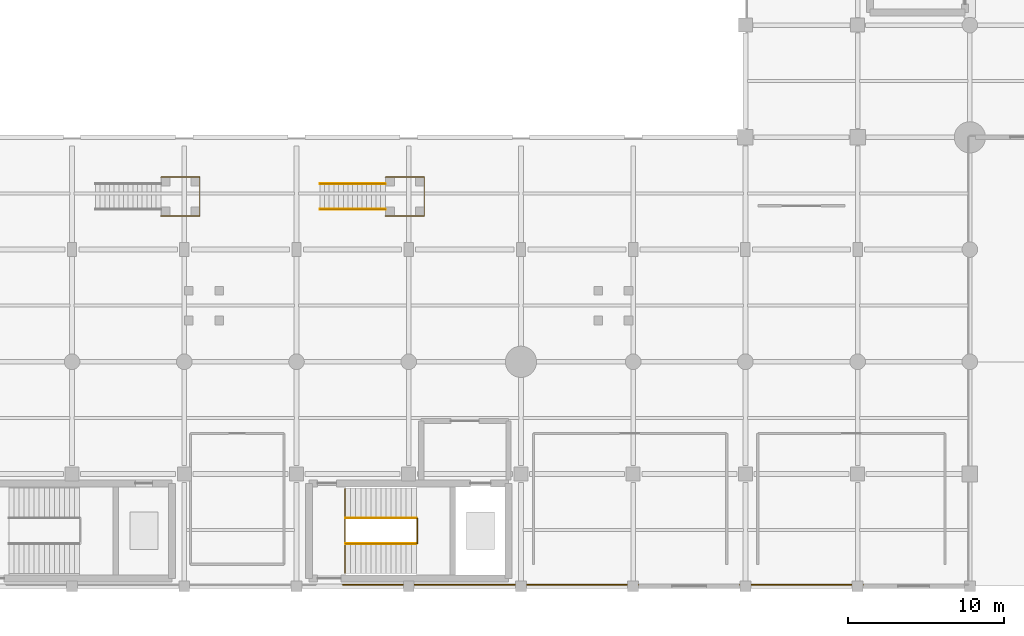
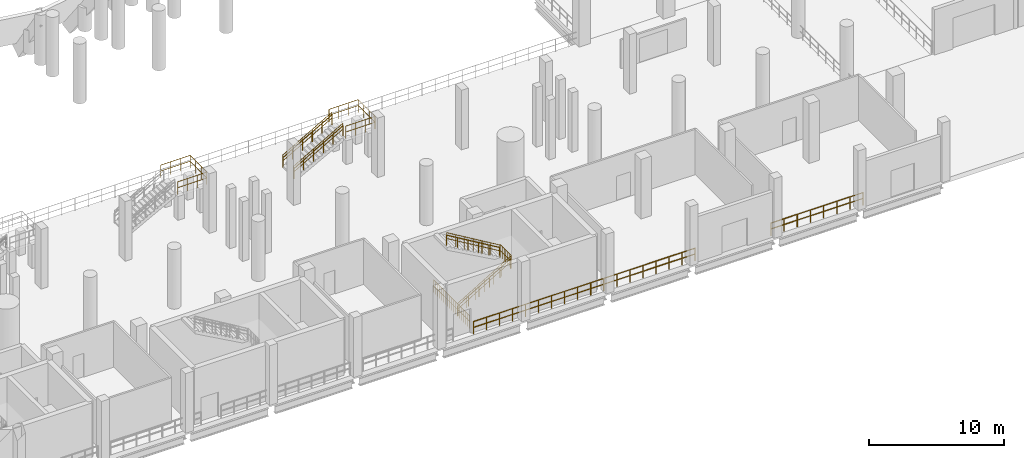
# One storey, part 47 of 58: 14 railings.
"""IFC4 building model written with IfcOpenShell, lengths in metres."""

import ifcopenshell
import ifcopenshell.guid

model = None  # the IFC model being written
_history = None  # IfcOwnerHistory: only IFC2X3 demands one
_inside = {}  # id of a spatial element -> (the spatial element, [elements in it])
_under = {}  # id of a project, library or spatial element -> (it, [spatial elements below it])
_declared = {}  # id of a project -> (the project, [libraries it declares])
_typed = {}  # id of a type object -> (the type object, [elements of that type])
_made_of = {}  # id of a material, layer set ... -> (it, [elements and type objects made of it])


def new_model(schema):
    """Start an empty IFC model of exactly this schema.

    Asked for "IFC4X3", IfcOpenShell would pick the latest addendum, in which some entities
    have other attributes; the version numbers below select the first issue.
    IFC2X3 requires an IfcOwnerHistory on every rooted entity: one is made here for all.
    """
    global model, _history
    if schema == "IFC4X3":
        model = ifcopenshell.file(schema_version=(4, 3, 0, 0))
    else:
        model = ifcopenshell.file(schema=schema)
    _inside.clear()
    _under.clear()
    _declared.clear()
    _typed.clear()
    _made_of.clear()
    _history = None
    if model.schema == "IFC2X3":
        org = make("IfcOrganization", Name="unknown")
        user = make(
            "IfcPersonAndOrganization",
            ThePerson=make("IfcPerson", FamilyName="unknown"),
            TheOrganization=org,
        )
        app = make(
            "IfcApplication",
            ApplicationDeveloper=org,
            Version="unknown",
            ApplicationFullName="unknown",
            ApplicationIdentifier="unknown",
        )
        _history = make(
            "IfcOwnerHistory",
            OwningUser=user,
            OwningApplication=app,
            ChangeAction="ADDED",
            CreationDate=0,
        )
    return model


def make(cls, **values):
    """One entity of the class cls with the attributes given. An attribute that is None is left unset."""
    return model.create_entity(
        cls, **{name: value for name, value in values.items() if value is not None}
    )


def rooted(cls, **values):
    """An entity with a GlobalId (a new one), such as an element, a storey or a relation."""
    return make(cls, GlobalId=ifcopenshell.guid.new(), OwnerHistory=_history, **values)


def si_unit(unit_type, name, prefix=None):
    """IfcSIUnit, for example si_unit("LENGTHUNIT", "METRE", prefix="MILLI")."""
    return make("IfcSIUnit", UnitType=unit_type, Prefix=prefix, Name=name)


def assignment(units):
    """IfcUnitAssignment: the units of a project."""
    return None if units is None else make("IfcUnitAssignment", Units=units)


def point(xyz):
    """IfcCartesianPoint."""
    return None if xyz is None else make("IfcCartesianPoint", Coordinates=xyz)


def direction(xyz):
    """IfcDirection."""
    return None if xyz is None else make("IfcDirection", DirectionRatios=xyz)


def frame(location, z_axis=None, x_axis=None):
    """IfcAxis2Placement3D, a coordinate frame: its origin and axes. An axis left out is left unset."""
    return make(
        "IfcAxis2Placement3D",
        Location=point(location),
        Axis=direction(z_axis),
        RefDirection=direction(x_axis),
    )


def frame_2d(location, x_axis=None):
    """IfcAxis2Placement2D, a coordinate frame in the plane: its origin and x axis."""
    return make(
        "IfcAxis2Placement2D", Location=point(location), RefDirection=direction(x_axis)
    )


def origin():
    """The frame at (0, 0, 0) with its axes left unset."""
    return frame((0.0, 0.0, 0.0))


def origin_2d():
    """The frame at (0, 0) in the plane with its x axis left unset."""
    return frame_2d((0.0, 0.0))


def place(relative_to, where):
    """IfcLocalPlacement: puts the frame where relative to a parent placement (None: the world)."""
    return make(
        "IfcLocalPlacement", PlacementRelTo=relative_to, RelativePlacement=where
    )


def context(
    kind, dimensions, precision=None, world=None, true_north=None, identifier=None
):
    """IfcGeometricRepresentationContext, for example the 3D "Model" context."""
    return make(
        "IfcGeometricRepresentationContext",
        ContextIdentifier=identifier,
        ContextType=kind,
        CoordinateSpaceDimension=dimensions,
        Precision=precision,
        WorldCoordinateSystem=world,
        TrueNorth=true_north,
    )


def subcontext(parent, identifier, kind, view, scale=None):
    """IfcGeometricRepresentationSubContext, for example "Body" below "Model"."""
    return make(
        "IfcGeometricRepresentationSubContext",
        ContextIdentifier=identifier,
        ContextType=kind,
        ParentContext=parent,
        TargetScale=scale,
        TargetView=view,
    )


def project(units=None, contexts=None):
    """IfcProject with its units and contexts."""
    return rooted(
        "IfcProject",
        Name="project",
        RepresentationContexts=contexts,
        UnitsInContext=assignment(units),
    )


def spatial(cls, under=None, at=None, **own):
    """A site, building, storey or space (cls), placed at a placement, below another one or the project."""
    s = rooted(cls, ObjectPlacement=at, **own)
    if under is not None:
        _under.setdefault(under.id(), (under, []))[1].append(s)
    return s


def profile(cls, at=None, kind="AREA", **sizes):
    """A parametric profile (cls). Its sizes go by their IFC names, for example OverallWidth=200.0."""
    return make(cls, ProfileType=kind, Position=at, **sizes)


def circle(**sizes):
    """IfcCircleProfileDef."""
    return profile("IfcCircleProfileDef", **sizes)


def extrude(swept, where, along, depth):
    """IfcExtrudedAreaSolid: the profile swept, set in the frame where, extruded along a direction by depth."""
    return make(
        "IfcExtrudedAreaSolid",
        SweptArea=swept,
        Position=where,
        ExtrudedDirection=direction(along),
        Depth=depth,
    )


def shape(context_of_items, identifier, shape_type, items):
    """IfcShapeRepresentation: the items that make up one representation, for example the "Body"."""
    return make(
        "IfcShapeRepresentation",
        ContextOfItems=context_of_items,
        RepresentationIdentifier=identifier,
        RepresentationType=shape_type,
        Items=items,
    )


def material(Name=None, Category=None):
    """IfcMaterial."""
    return make("IfcMaterial", Name=Name, Category=Category)


def made_of(thing, what):
    """Note that an element or type object is made of a material, layer set ...; save() writes the relation."""
    if what is not None:
        _made_of.setdefault(what.id(), (what, []))[1].append(thing)
    return thing


def type_object(cls, material=None, **own):
    """A type object (cls), such as IfcWallType, which elements share."""
    return made_of(rooted(cls, **own), material)


def element(
    cls,
    number,
    at=None,
    inside=None,
    cuts=None,
    type_object=None,
    material=None,
    context=None,
    identifier="Body",
    shape_type=None,
    held_by="IfcProductDefinitionShape",
    body=None,
    shapes=None,
    **own,
):
    """One element of the class cls, such as IfcWall. Its Tag is "e" and its number.

    at: its placement. inside: the storey or other place that contains it. cuts: it is an
    opening in that element (IfcRelVoidsElement). A single representation is given by context,
    identifier, shape_type and body (its items); several are given by shapes. held_by: the class
    of the entity that holds the representations. save() writes the other relations.
    """
    e = rooted(cls, Tag="e%d" % number, ObjectPlacement=at, **own)
    if body is not None:
        shapes = [shape(context, identifier, shape_type, body)]
    if shapes is not None:
        e.Representation = make(held_by, Representations=shapes)
    if inside is not None:
        _inside.setdefault(inside.id(), (inside, []))[1].append(e)
    if cuts is not None:
        rooted(
            "IfcRelVoidsElement", RelatingBuildingElement=cuts, RelatedOpeningElement=e
        )
    if type_object is not None:
        _typed.setdefault(type_object.id(), (type_object, []))[1].append(e)
    return made_of(e, material)


def aggregate(whole, parts):
    """IfcRelAggregates: a whole, such as a stair, and the parts it consists of."""
    return rooted("IfcRelAggregates", RelatingObject=whole, RelatedObjects=parts)


def save(model, path):
    """Write the relations noted so far, then the file.

    IfcRelAggregates (storeys below a building ...), IfcRelContainedInSpatialStructure (elements
    in a storey), IfcRelDefinesByType, IfcRelAssociatesMaterial and IfcRelDeclares: one each for
    every whole, place, type object, material and project.
    """
    for whole, parts in _under.values():
        aggregate(whole, parts)
    for where, things in _inside.values():
        rooted(
            "IfcRelContainedInSpatialStructure",
            RelatedElements=things,
            RelatingStructure=where,
        )
    for kind, things in _typed.values():
        rooted("IfcRelDefinesByType", RelatedObjects=things, RelatingType=kind)
    for what, things in _made_of.values():
        rooted("IfcRelAssociatesMaterial", RelatedObjects=things, RelatingMaterial=what)
    for by, libraries in _declared.values():
        rooted("IfcRelDeclares", RelatingContext=by, RelatedDefinitions=libraries)
    model.write(path)


model = new_model("IFC4")

# Units and contexts
model_context = context("Model", 3, precision=1e-05, world=origin(), true_north=direction((0.0, 1.0)))
body_context = subcontext(model_context, "Body", "Model", "MODEL_VIEW")
ifc_project = project(units=[si_unit("LENGTHUNIT", "METRE"), si_unit("AREAUNIT", "SQUARE_METRE"), si_unit("VOLUMEUNIT", "CUBIC_METRE"), si_unit("PLANEANGLEUNIT", "RADIAN"), si_unit("MASSUNIT", "GRAM", prefix="KILO")], contexts=[model_context])

# Site, building, storey
site_placement = place(None, origin())
site = spatial("IfcSite", under=ifc_project, at=site_placement, CompositionType="ELEMENT")
building_placement = place(site_placement, origin())
building = spatial("IfcBuilding", under=site, at=building_placement, Name="Qandorah Velis Arena", CompositionType="ELEMENT")
storey_placement = place(building_placement, origin())
storey = spatial("IfcBuildingStorey", under=building, at=storey_placement, Name="L00", CompositionType="ELEMENT", Elevation=0.0)

# Railings
ifc_material = material(Name="Stainless steel 316", Category="steel")
railing_type_1 = type_object("IfcRailingType", Name="ARC-RL-GRD1150", PredefinedType="GUARDRAIL", material=ifc_material)
railing_1_placement = place(storey_placement, frame((75.110107421875, 0.860107421875, 0.0)))
element("IfcRailing", 1, at=railing_1_placement, inside=storey, type_object=railing_type_1, Name="Stair ST2 landing well-slot guardrail L00", PredefinedType="GUARDRAIL", context=body_context, shape_type="SweptSolid", body=[
    extrude(circle(Radius=0.02392578125, at=origin_2d()), frame((0.0, 0.0, 1.1259765625), z_axis=(0.0, 1.0, 0.0), x_axis=(-1.0, 0.0, 0.0)), (0.0, 0.0, 1.0), 5.3798828125),
    extrude(circle(Radius=0.02392578125, at=origin_2d()), frame((0.0, 0.0, 0.597900390625), z_axis=(0.0, 1.0, 0.0), x_axis=(-1.0, 0.0, 0.0)), (0.0, 0.0, 1.0), 5.3798828125),
    extrude(circle(Radius=0.02099609375, at=origin_2d()), origin(), (0.0, 0.0, 1.0), 1.101806640625),
    extrude(circle(Radius=0.02099609375, at=origin_2d()), frame((0.0, 0.298828125, 0.0)), (0.0, 0.0, 1.0), 1.101806640625),
    extrude(circle(Radius=0.02099609375, at=origin_2d()), frame((0.0, 0.59765625, 0.0)), (0.0, 0.0, 1.0), 1.101806640625),
    extrude(circle(Radius=0.02099609375, at=origin_2d()), frame((0.0, 0.896728515625, 0.0)), (0.0, 0.0, 1.0), 1.101806640625),
    extrude(circle(Radius=0.02099609375, at=origin_2d()), frame((0.0, 1.195556640625, 0.0)), (0.0, 0.0, 1.0), 1.101806640625),
    extrude(circle(Radius=0.02099609375, at=origin_2d()), frame((0.0, 1.494384765625, 0.0)), (0.0, 0.0, 1.0), 1.101806640625),
    extrude(circle(Radius=0.02099609375, at=origin_2d()), frame((0.0, 1.793212890625, 0.0)), (0.0, 0.0, 1.0), 1.101806640625),
    extrude(circle(Radius=0.02099609375, at=origin_2d()), frame((0.0, 2.09228515625, 0.0)), (0.0, 0.0, 1.0), 1.101806640625),
    extrude(circle(Radius=0.02099609375, at=origin_2d()), frame((0.0, 2.39111328125, 0.0)), (0.0, 0.0, 1.0), 1.101806640625),
    extrude(circle(Radius=0.02099609375, at=origin_2d()), frame((0.0, 2.68994140625, 0.0)), (0.0, 0.0, 1.0), 1.101806640625),
    extrude(circle(Radius=0.02099609375, at=origin_2d()), frame((0.0, 2.98876953125, 0.0)), (0.0, 0.0, 1.0), 1.101806640625),
    extrude(circle(Radius=0.02099609375, at=origin_2d()), frame((0.0, 3.28759765625, 0.0)), (0.0, 0.0, 1.0), 1.101806640625),
    extrude(circle(Radius=0.02099609375, at=origin_2d()), frame((0.0, 3.586669921875, 0.0)), (0.0, 0.0, 1.0), 1.101806640625),
    extrude(circle(Radius=0.02099609375, at=origin_2d()), frame((0.0, 3.885498046875, 0.0)), (0.0, 0.0, 1.0), 1.101806640625),
    extrude(circle(Radius=0.02099609375, at=origin_2d()), frame((0.0, 4.184326171875, 0.0)), (0.0, 0.0, 1.0), 1.101806640625),
    extrude(circle(Radius=0.02099609375, at=origin_2d()), frame((0.0, 4.483154296875, 0.0)), (0.0, 0.0, 1.0), 1.101806640625),
    extrude(circle(Radius=0.02099609375, at=origin_2d()), frame((0.0, 4.7822265625, 0.0)), (0.0, 0.0, 1.0), 1.101806640625),
    extrude(circle(Radius=0.02099609375, at=origin_2d()), frame((0.0, 5.0810546875, 0.0)), (0.0, 0.0, 1.0), 1.101806640625),
    extrude(circle(Radius=0.02099609375, at=origin_2d()), frame((0.0, 5.3798828125, 0.0)), (0.0, 0.0, 1.0), 1.101806640625),
])
railing_2_placement = place(storey_placement, frame((79.74609375, 2.739990234375, 2.699951171875)))
element("IfcRailing", 2, at=railing_2_placement, inside=storey, type_object=railing_type_1, Name="Stair ST2 well guardrail (L00)", PredefinedType="GUARDRAIL", context=body_context, shape_type="SweptSolid", body=[
    extrude(circle(Radius=0.02392578125, at=origin_2d()), frame((0.0, 0.0, 1.1259765625), z_axis=(0.0, 1.0, 0.0), x_axis=(-1.0, 0.0, 0.0)), (0.0, 0.0, 1.0), 1.6201171875),
    extrude(circle(Radius=0.02392578125, at=origin_2d()), frame((0.0, 0.0, 0.597900390625), z_axis=(0.0, 1.0, 0.0), x_axis=(-1.0, 0.0, 0.0)), (0.0, 0.0, 1.0), 1.6201171875),
    extrude(circle(Radius=0.02099609375, at=origin_2d()), origin(), (0.0, 0.0, 1.0), 1.101806640625),
    extrude(circle(Radius=0.02099609375, at=origin_2d()), frame((0.0, 0.27001953125, 0.0)), (0.0, 0.0, 1.0), 1.101806640625),
    extrude(circle(Radius=0.02099609375, at=origin_2d()), frame((0.0, 0.5400390625, 0.0)), (0.0, 0.0, 1.0), 1.101806640625),
    extrude(circle(Radius=0.02099609375, at=origin_2d()), frame((0.0, 0.81005859375, 0.0)), (0.0, 0.0, 1.0), 1.101806640625),
    extrude(circle(Radius=0.02099609375, at=origin_2d()), frame((0.0, 1.080078125, 0.0)), (0.0, 0.0, 1.0), 1.101806640625),
    extrude(circle(Radius=0.02099609375, at=origin_2d()), frame((0.0, 1.35009765625, 0.0)), (0.0, 0.0, 1.0), 1.101806640625),
    extrude(circle(Radius=0.02099609375, at=origin_2d()), frame((0.0, 1.6201171875, 0.0)), (0.0, 0.0, 1.0), 1.101806640625),
])
railing_3_placement = place(storey_placement, frame((75.14990234375, 2.72998046875, 0.0)))
element("IfcRailing", 3, at=railing_3_placement, inside=storey, type_object=railing_type_1, Name="Stair ST2 inner flight 1 guardrail (L00)", PredefinedType="GUARDRAIL", context=body_context, shape_type="SweptSolid", body=[
    extrude(circle(Radius=0.02392578125, at=origin_2d()), frame((0.0, 0.0, 1.1259765625), z_axis=(0.859303531718, 0.0, 0.511465971866), x_axis=(0.0, 1.0, 0.0)), (0.0, 0.0, 1.0), 5.27880859375),
    extrude(circle(Radius=0.02392578125, at=origin_2d()), frame((0.0, 0.0, 0.597900390625), z_axis=(0.859303531718, 0.0, 0.511465971866), x_axis=(0.0, 1.0, 0.0)), (0.0, 0.0, 1.0), 5.27880859375),
    extrude(circle(Radius=0.02099609375, at=origin_2d()), origin(), (0.0, 0.0, 1.0), 1.101806640625),
    extrude(circle(Radius=0.02099609375, at=origin_2d()), frame((0.756103515625, 0.0, 0.449951171875)), (0.0, 0.0, 1.0), 1.101806640625),
    extrude(circle(Radius=0.02099609375, at=origin_2d()), frame((1.511962890625, 0.0, 0.89990234375)), (0.0, 0.0, 1.0), 1.101806640625),
    extrude(circle(Radius=0.02099609375, at=origin_2d()), frame((2.26806640625, 0.0, 1.35009765625)), (0.0, 0.0, 1.0), 1.101806640625),
    extrude(circle(Radius=0.02099609375, at=origin_2d()), frame((3.024169921875, 0.0, 1.800048828125)), (0.0, 0.0, 1.0), 1.101806640625),
    extrude(circle(Radius=0.02099609375, at=origin_2d()), frame((3.780029296875, 0.0, 2.25)), (0.0, 0.0, 1.0), 1.101806640625),
    extrude(circle(Radius=0.02099609375, at=origin_2d()), frame((4.5361328125, 0.0, 2.699951171875)), (0.0, 0.0, 1.0), 1.101806640625),
])
railing_4_placement = place(storey_placement, frame((79.68603515625, 4.3701171875, 2.699951171875)))
element("IfcRailing", 4, at=railing_4_placement, inside=storey, type_object=railing_type_1, Name="Stair ST2 inner flight 2 guardrail (L00)", PredefinedType="GUARDRAIL", context=body_context, shape_type="SweptSolid", body=[
    extrude(circle(Radius=0.02392578125, at=origin_2d()), frame((0.0, 0.0, 1.1259765625), z_axis=(-0.859303531718, 0.0, 0.511465971866), x_axis=(0.0, -1.0, 0.0)), (0.0, 0.0, 1.0), 5.27880859375),
    extrude(circle(Radius=0.02392578125, at=origin_2d()), frame((0.0, 0.0, 0.597900390625), z_axis=(-0.859303531718, 0.0, 0.511465971866), x_axis=(0.0, -1.0, 0.0)), (0.0, 0.0, 1.0), 5.27880859375),
    extrude(circle(Radius=0.02099609375, at=origin_2d()), origin(), (0.0, 0.0, 1.0), 1.101806640625),
    extrude(circle(Radius=0.02099609375, at=origin_2d()), frame((-0.756103515625, 0.0, 0.449951171875)), (0.0, 0.0, 1.0), 1.101806640625),
    extrude(circle(Radius=0.02099609375, at=origin_2d()), frame((-1.511962890625, 0.0, 0.89990234375)), (0.0, 0.0, 1.0), 1.101806640625),
    extrude(circle(Radius=0.02099609375, at=origin_2d()), frame((-2.26806640625, 0.0, 1.35009765625)), (0.0, 0.0, 1.0), 1.101806640625),
    extrude(circle(Radius=0.02099609375, at=origin_2d()), frame((-3.024169921875, 0.0, 1.800048828125)), (0.0, 0.0, 1.0), 1.101806640625),
    extrude(circle(Radius=0.02099609375, at=origin_2d()), frame((-3.780029296875, 0.0, 2.25)), (0.0, 0.0, 1.0), 1.101806640625),
    extrude(circle(Radius=0.02099609375, at=origin_2d()), frame((-4.5361328125, 0.0, 2.699951171875)), (0.0, 0.0, 1.0), 1.101806640625),
])
railing_5_placement = place(storey_placement, frame((63.300048828125, 23.75, 2.39990234375)))
element("IfcRailing", 5, at=railing_5_placement, inside=storey, type_object=railing_type_1, Name="Vomitory VS2 landing guardrail (L00)", PredefinedType="GUARDRAIL", context=body_context, shape_type="SweptSolid", body=[
    extrude(circle(Radius=0.02392578125, at=origin_2d()), frame((0.0, 0.0, 1.1259765625), z_axis=(1.0, 0.0, 0.0), x_axis=(0.0, 1.0, 0.0)), (0.0, 0.0, 1.0), 2.5),
    extrude(circle(Radius=0.02392578125, at=origin_2d()), frame((0.0, 0.0, 0.597900390625), z_axis=(1.0, 0.0, 0.0), x_axis=(0.0, 1.0, 0.0)), (0.0, 0.0, 1.0), 2.5),
    extrude(circle(Radius=0.02392578125, at=origin_2d()), frame((2.5, 0.0, 1.1259765625), z_axis=(0.0, 1.0, 0.0), x_axis=(-1.0, 0.0, 0.0)), (0.0, 0.0, 1.0), 2.5),
    extrude(circle(Radius=0.02392578125, at=origin_2d()), frame((2.5, 0.0, 0.597900390625), z_axis=(0.0, 1.0, 0.0), x_axis=(-1.0, 0.0, 0.0)), (0.0, 0.0, 1.0), 2.5),
    extrude(circle(Radius=0.02392578125, at=origin_2d()), frame((2.5, 2.5, 1.1259765625), z_axis=(-1.0, 0.0, 0.0), x_axis=(0.0, -1.0, 0.0)), (0.0, 0.0, 1.0), 2.5),
    extrude(circle(Radius=0.02392578125, at=origin_2d()), frame((2.5, 2.5, 0.597900390625), z_axis=(-1.0, 0.0, 0.0), x_axis=(0.0, -1.0, 0.0)), (0.0, 0.0, 1.0), 2.5),
    extrude(circle(Radius=0.02099609375, at=origin_2d()), origin(), (0.0, 0.0, 1.0), 1.101806640625),
    extrude(circle(Radius=0.02099609375, at=origin_2d()), frame((0.833251953125, 0.0, 0.0)), (0.0, 0.0, 1.0), 1.101806640625),
    extrude(circle(Radius=0.02099609375, at=origin_2d()), frame((1.666748046875, 0.0, 0.0)), (0.0, 0.0, 1.0), 1.101806640625),
    extrude(circle(Radius=0.02099609375, at=origin_2d()), frame((2.5, 0.0, 0.0)), (0.0, 0.0, 1.0), 1.101806640625),
    extrude(circle(Radius=0.02099609375, at=origin_2d()), frame((2.5, 0.833251953125, 0.0)), (0.0, 0.0, 1.0), 1.101806640625),
    extrude(circle(Radius=0.02099609375, at=origin_2d()), frame((2.5, 1.666748046875, 0.0)), (0.0, 0.0, 1.0), 1.101806640625),
    extrude(circle(Radius=0.02099609375, at=origin_2d()), frame((2.5, 2.5, 0.0)), (0.0, 0.0, 1.0), 1.101806640625),
    extrude(circle(Radius=0.02099609375, at=origin_2d()), frame((1.666748046875, 2.5, 0.0)), (0.0, 0.0, 1.0), 1.101806640625),
    extrude(circle(Radius=0.02099609375, at=origin_2d()), frame((0.833251953125, 2.5, 0.0)), (0.0, 0.0, 1.0), 1.101806640625),
    extrude(circle(Radius=0.02099609375, at=origin_2d()), frame((0.0, 2.5, 0.0)), (0.0, 0.0, 1.0), 1.101806640625),
])
for number, where, name in (
    (6, (73.5, 25.820068359375, 0.0), "Vomitory VS3 left guard (L00)"),
    (7, (73.5, 24.179931640625, 0.0), "Vomitory VS3 right guard (L00)"),
):
    element("IfcRailing", number, at=place(storey_placement, frame(where)), inside=storey, type_object=railing_type_1, Name=name, PredefinedType="GUARDRAIL", context=body_context, shape_type="SweptSolid", body=[
        extrude(circle(Radius=0.02392578125, at=origin_2d()), frame((0.0, 0.0, 1.1259765625), z_axis=(0.868249353848, 0.0, 0.496128067682), x_axis=(0.0, 1.0, 0.0)), (0.0, 0.0, 1.0), 4.837158203125),
        extrude(circle(Radius=0.02392578125, at=origin_2d()), frame((0.0, 0.0, 0.597900390625), z_axis=(0.868249353848, 0.0, 0.496128067682), x_axis=(0.0, 1.0, 0.0)), (0.0, 0.0, 1.0), 4.837158203125),
        extrude(circle(Radius=0.02099609375, at=origin_2d()), origin(), (0.0, 0.0, 1.0), 1.101806640625),
        extrude(circle(Radius=0.02099609375, at=origin_2d()), frame((0.840087890625, 0.0, 0.47998046875)), (0.0, 0.0, 1.0), 1.101806640625),
        extrude(circle(Radius=0.02099609375, at=origin_2d()), frame((1.679931640625, 0.0, 0.9599609375)), (0.0, 0.0, 1.0), 1.101806640625),
        extrude(circle(Radius=0.02099609375, at=origin_2d()), frame((2.52001953125, 0.0, 1.43994140625)), (0.0, 0.0, 1.0), 1.101806640625),
        extrude(circle(Radius=0.02099609375, at=origin_2d()), frame((3.35986328125, 0.0, 1.919921875)), (0.0, 0.0, 1.0), 1.101806640625),
        extrude(circle(Radius=0.02099609375, at=origin_2d()), frame((4.199951171875, 0.0, 2.39990234375)), (0.0, 0.0, 1.0), 1.101806640625),
    ])
railing_6_placement = place(storey_placement, frame((77.699951171875, 23.75, 2.39990234375)))
element("IfcRailing", 8, at=railing_6_placement, inside=storey, type_object=railing_type_1, Name="Vomitory VS3 landing guardrail (L00)", PredefinedType="GUARDRAIL", context=body_context, shape_type="SweptSolid", body=[
    extrude(circle(Radius=0.02392578125, at=origin_2d()), frame((0.0, 0.0, 1.1259765625), z_axis=(1.0, 0.0, 0.0), x_axis=(0.0, 1.0, 0.0)), (0.0, 0.0, 1.0), 2.5),
    extrude(circle(Radius=0.02392578125, at=origin_2d()), frame((0.0, 0.0, 0.597900390625), z_axis=(1.0, 0.0, 0.0), x_axis=(0.0, 1.0, 0.0)), (0.0, 0.0, 1.0), 2.5),
    extrude(circle(Radius=0.02392578125, at=origin_2d()), frame((2.5, 0.0, 1.1259765625), z_axis=(0.0, 1.0, 0.0), x_axis=(-1.0, 0.0, 0.0)), (0.0, 0.0, 1.0), 2.5),
    extrude(circle(Radius=0.02392578125, at=origin_2d()), frame((2.5, 0.0, 0.597900390625), z_axis=(0.0, 1.0, 0.0), x_axis=(-1.0, 0.0, 0.0)), (0.0, 0.0, 1.0), 2.5),
    extrude(circle(Radius=0.02392578125, at=origin_2d()), frame((2.5, 2.5, 1.1259765625), z_axis=(-1.0, 0.0, 0.0), x_axis=(0.0, -1.0, 0.0)), (0.0, 0.0, 1.0), 2.5),
    extrude(circle(Radius=0.02392578125, at=origin_2d()), frame((2.5, 2.5, 0.597900390625), z_axis=(-1.0, 0.0, 0.0), x_axis=(0.0, -1.0, 0.0)), (0.0, 0.0, 1.0), 2.5),
    extrude(circle(Radius=0.02099609375, at=origin_2d()), origin(), (0.0, 0.0, 1.0), 1.101806640625),
    extrude(circle(Radius=0.02099609375, at=origin_2d()), frame((0.833251953125, 0.0, 0.0)), (0.0, 0.0, 1.0), 1.101806640625),
    extrude(circle(Radius=0.02099609375, at=origin_2d()), frame((1.666748046875, 0.0, 0.0)), (0.0, 0.0, 1.0), 1.101806640625),
    extrude(circle(Radius=0.02099609375, at=origin_2d()), frame((2.5, 0.0, 0.0)), (0.0, 0.0, 1.0), 1.101806640625),
    extrude(circle(Radius=0.02099609375, at=origin_2d()), frame((2.5, 0.833251953125, 0.0)), (0.0, 0.0, 1.0), 1.101806640625),
    extrude(circle(Radius=0.02099609375, at=origin_2d()), frame((2.5, 1.666748046875, 0.0)), (0.0, 0.0, 1.0), 1.101806640625),
    extrude(circle(Radius=0.02099609375, at=origin_2d()), frame((2.5, 2.5, 0.0)), (0.0, 0.0, 1.0), 1.101806640625),
    extrude(circle(Radius=0.02099609375, at=origin_2d()), frame((1.666748046875, 2.5, 0.0)), (0.0, 0.0, 1.0), 1.101806640625),
    extrude(circle(Radius=0.02099609375, at=origin_2d()), frame((0.833251953125, 2.5, 0.0)), (0.0, 0.0, 1.0), 1.101806640625),
    extrude(circle(Radius=0.02099609375, at=origin_2d()), frame((0.0, 2.5, 0.0)), (0.0, 0.0, 1.0), 1.101806640625),
])
railing_7_placement = place(storey_placement, frame((108.35009765625, 0.10009765625, 0.0)))
element("IfcRailing", 9, at=railing_7_placement, inside=storey, type_object=railing_type_1, Name="Slab edge safety guardrail L00-020", PredefinedType="GUARDRAIL", context=body_context, shape_type="SweptSolid", body=[
    extrude(circle(Radius=0.02392578125, at=origin_2d()), frame((0.0, 0.0, 1.1259765625), z_axis=(-1.0, 0.0, 0.0), x_axis=(0.0, -1.0, 0.0)), (0.0, 0.0, 1.0), 7.900146484375),
    extrude(circle(Radius=0.02392578125, at=origin_2d()), frame((0.0, 0.0, 0.597900390625), z_axis=(-1.0, 0.0, 0.0), x_axis=(0.0, -1.0, 0.0)), (0.0, 0.0, 1.0), 7.900146484375),
    extrude(circle(Radius=0.02099609375, at=origin_2d()), origin(), (0.0, 0.0, 1.0), 1.101806640625),
    extrude(circle(Radius=0.02099609375, at=origin_2d()), frame((-1.128662109375, 0.0, 0.0)), (0.0, 0.0, 1.0), 1.101806640625),
    extrude(circle(Radius=0.02099609375, at=origin_2d()), frame((-2.257080078125, 0.0, 0.0)), (0.0, 0.0, 1.0), 1.101806640625),
    extrude(circle(Radius=0.02099609375, at=origin_2d()), frame((-3.3857421875, 0.0, 0.0)), (0.0, 0.0, 1.0), 1.101806640625),
    extrude(circle(Radius=0.02099609375, at=origin_2d()), frame((-4.514404296875, 0.0, 0.0)), (0.0, 0.0, 1.0), 1.101806640625),
    extrude(circle(Radius=0.02099609375, at=origin_2d()), frame((-5.64306640625, 0.0, 0.0)), (0.0, 0.0, 1.0), 1.101806640625),
    extrude(circle(Radius=0.02099609375, at=origin_2d()), frame((-6.771484375, 0.0, 0.0)), (0.0, 0.0, 1.0), 1.101806640625),
    extrude(circle(Radius=0.02099609375, at=origin_2d()), frame((-7.900146484375, 0.0, 0.0)), (0.0, 0.0, 1.0), 1.101806640625),
])
railing_8_placement = place(storey_placement, frame((93.949951171875, 0.10009765625, 0.0)))
element("IfcRailing", 10, at=railing_8_placement, inside=storey, type_object=railing_type_1, Name="Slab edge safety guardrail L00-021", PredefinedType="GUARDRAIL", context=body_context, shape_type="SweptSolid", body=[
    extrude(circle(Radius=0.02392578125, at=origin_2d()), frame((0.0, 0.0, 1.1259765625), z_axis=(-1.0, 0.0, 0.0), x_axis=(0.0, -1.0, 0.0)), (0.0, 0.0, 1.0), 18.97998046875),
    extrude(circle(Radius=0.02392578125, at=origin_2d()), frame((0.0, 0.0, 0.597900390625), z_axis=(-1.0, 0.0, 0.0), x_axis=(0.0, -1.0, 0.0)), (0.0, 0.0, 1.0), 18.97998046875),
    extrude(circle(Radius=0.02099609375, at=origin_2d()), origin(), (0.0, 0.0, 1.0), 1.101806640625),
    extrude(circle(Radius=0.02099609375, at=origin_2d()), frame((-1.116455078125, 0.0, 0.0)), (0.0, 0.0, 1.0), 1.101806640625),
    extrude(circle(Radius=0.02099609375, at=origin_2d()), frame((-2.23291015625, 0.0, 0.0)), (0.0, 0.0, 1.0), 1.101806640625),
    extrude(circle(Radius=0.02099609375, at=origin_2d()), frame((-3.349365234375, 0.0, 0.0)), (0.0, 0.0, 1.0), 1.101806640625),
    extrude(circle(Radius=0.02099609375, at=origin_2d()), frame((-4.4658203125, 0.0, 0.0)), (0.0, 0.0, 1.0), 1.101806640625),
    extrude(circle(Radius=0.02099609375, at=origin_2d()), frame((-5.582275390625, 0.0, 0.0)), (0.0, 0.0, 1.0), 1.101806640625),
    extrude(circle(Radius=0.02099609375, at=origin_2d()), frame((-6.69873046875, 0.0, 0.0)), (0.0, 0.0, 1.0), 1.101806640625),
    extrude(circle(Radius=0.02099609375, at=origin_2d()), frame((-7.815185546875, 0.0, 0.0)), (0.0, 0.0, 1.0), 1.101806640625),
    extrude(circle(Radius=0.02099609375, at=origin_2d()), frame((-8.931640625, 0.0, 0.0)), (0.0, 0.0, 1.0), 1.101806640625),
    extrude(circle(Radius=0.02099609375, at=origin_2d()), frame((-10.04833984375, 0.0, 0.0)), (0.0, 0.0, 1.0), 1.101806640625),
    extrude(circle(Radius=0.02099609375, at=origin_2d()), frame((-11.164794921875, 0.0, 0.0)), (0.0, 0.0, 1.0), 1.101806640625),
    extrude(circle(Radius=0.02099609375, at=origin_2d()), frame((-12.28125, 0.0, 0.0)), (0.0, 0.0, 1.0), 1.101806640625),
    extrude(circle(Radius=0.02099609375, at=origin_2d()), frame((-13.397705078125, 0.0, 0.0)), (0.0, 0.0, 1.0), 1.101806640625),
    extrude(circle(Radius=0.02099609375, at=origin_2d()), frame((-14.51416015625, 0.0, 0.0)), (0.0, 0.0, 1.0), 1.101806640625),
    extrude(circle(Radius=0.02099609375, at=origin_2d()), frame((-15.630615234375, 0.0, 0.0)), (0.0, 0.0, 1.0), 1.101806640625),
    extrude(circle(Radius=0.02099609375, at=origin_2d()), frame((-16.7470703125, 0.0, 0.0)), (0.0, 0.0, 1.0), 1.101806640625),
    extrude(circle(Radius=0.02099609375, at=origin_2d()), frame((-17.863525390625, 0.0, 0.0)), (0.0, 0.0, 1.0), 1.101806640625),
    extrude(circle(Radius=0.02099609375, at=origin_2d()), frame((-18.97998046875, 0.0, 0.0)), (0.0, 0.0, 1.0), 1.101806640625),
])
railing_type_2 = type_object("IfcRailingType", Name="ARC-RL-HND920", PredefinedType="HANDRAIL", material=ifc_material)
railing_9_placement = place(storey_placement, frame((75.14990234375, 2.72998046875, 0.0)))
element("IfcRailing", 11, at=railing_9_placement, inside=storey, type_object=railing_type_2, Name="Stair ST2 inner handrail 1 (L00)", PredefinedType="HANDRAIL", context=body_context, shape_type="SweptSolid", body=[
    extrude(circle(Radius=0.02392578125, at=origin_2d()), frame((0.0, 0.0, 0.89599609375), z_axis=(0.859303531718, 0.0, 0.511465971866), x_axis=(0.0, 1.0, 0.0)), (0.0, 0.0, 1.0), 5.27880859375),
    extrude(circle(Radius=0.02099609375, at=origin_2d()), origin(), (0.0, 0.0, 1.0), 0.871826171875),
    extrude(circle(Radius=0.02099609375, at=origin_2d()), frame((0.9072265625, 0.0, 0.5400390625)), (0.0, 0.0, 1.0), 0.871826171875),
    extrude(circle(Radius=0.02099609375, at=origin_2d()), frame((1.814453125, 0.0, 1.080078125)), (0.0, 0.0, 1.0), 0.871826171875),
    extrude(circle(Radius=0.02099609375, at=origin_2d()), frame((2.7216796875, 0.0, 1.619873046875)), (0.0, 0.0, 1.0), 0.871826171875),
    extrude(circle(Radius=0.02099609375, at=origin_2d()), frame((3.62890625, 0.0, 2.159912109375)), (0.0, 0.0, 1.0), 0.871826171875),
    extrude(circle(Radius=0.02099609375, at=origin_2d()), frame((4.5361328125, 0.0, 2.699951171875)), (0.0, 0.0, 1.0), 0.871826171875),
])
railing_10_placement = place(storey_placement, frame((79.68603515625, 4.3701171875, 2.699951171875)))
element("IfcRailing", 12, at=railing_10_placement, inside=storey, type_object=railing_type_2, Name="Stair ST2 inner handrail 2 (L00)", PredefinedType="HANDRAIL", context=body_context, shape_type="SweptSolid", body=[
    extrude(circle(Radius=0.02392578125, at=origin_2d()), frame((0.0, 0.0, 0.89599609375), z_axis=(-0.859303531718, 0.0, 0.511465971866), x_axis=(0.0, -1.0, 0.0)), (0.0, 0.0, 1.0), 5.27880859375),
    extrude(circle(Radius=0.02099609375, at=origin_2d()), origin(), (0.0, 0.0, 1.0), 0.871826171875),
    extrude(circle(Radius=0.02099609375, at=origin_2d()), frame((-0.9072265625, 0.0, 0.5400390625)), (0.0, 0.0, 1.0), 0.871826171875),
    extrude(circle(Radius=0.02099609375, at=origin_2d()), frame((-1.814453125, 0.0, 1.080078125)), (0.0, 0.0, 1.0), 0.871826171875),
    extrude(circle(Radius=0.02099609375, at=origin_2d()), frame((-2.7216796875, 0.0, 1.619873046875)), (0.0, 0.0, 1.0), 0.871826171875),
    extrude(circle(Radius=0.02099609375, at=origin_2d()), frame((-3.62890625, 0.0, 2.159912109375)), (0.0, 0.0, 1.0), 0.871826171875),
    extrude(circle(Radius=0.02099609375, at=origin_2d()), frame((-4.5361328125, 0.0, 2.699951171875)), (0.0, 0.0, 1.0), 0.871826171875),
])
for number, where, name in (
    (13, (73.5, 25.820068359375, 0.0), "Vomitory VS3 left handrail"),
    (14, (73.5, 24.179931640625, 0.0), "Vomitory VS3 right handrail"),
):
    element("IfcRailing", number, at=place(storey_placement, frame(where)), inside=storey, type_object=railing_type_2, Name=name, PredefinedType="HANDRAIL", context=body_context, shape_type="SweptSolid", body=[
        extrude(circle(Radius=0.02392578125, at=origin_2d()), frame((0.0, 0.0, 0.89599609375), z_axis=(0.868249353848, 0.0, 0.496128067682), x_axis=(0.0, 1.0, 0.0)), (0.0, 0.0, 1.0), 4.837158203125),
        extrude(circle(Radius=0.02099609375, at=origin_2d()), origin(), (0.0, 0.0, 1.0), 0.871826171875),
        extrude(circle(Radius=0.02099609375, at=origin_2d()), frame((0.840087890625, 0.0, 0.47998046875)), (0.0, 0.0, 1.0), 0.871826171875),
        extrude(circle(Radius=0.02099609375, at=origin_2d()), frame((1.679931640625, 0.0, 0.9599609375)), (0.0, 0.0, 1.0), 0.871826171875),
        extrude(circle(Radius=0.02099609375, at=origin_2d()), frame((2.52001953125, 0.0, 1.43994140625)), (0.0, 0.0, 1.0), 0.871826171875),
        extrude(circle(Radius=0.02099609375, at=origin_2d()), frame((3.35986328125, 0.0, 1.919921875)), (0.0, 0.0, 1.0), 0.871826171875),
        extrude(circle(Radius=0.02099609375, at=origin_2d()), frame((4.199951171875, 0.0, 2.39990234375)), (0.0, 0.0, 1.0), 0.871826171875),
    ])

save(model, "model.ifc")
